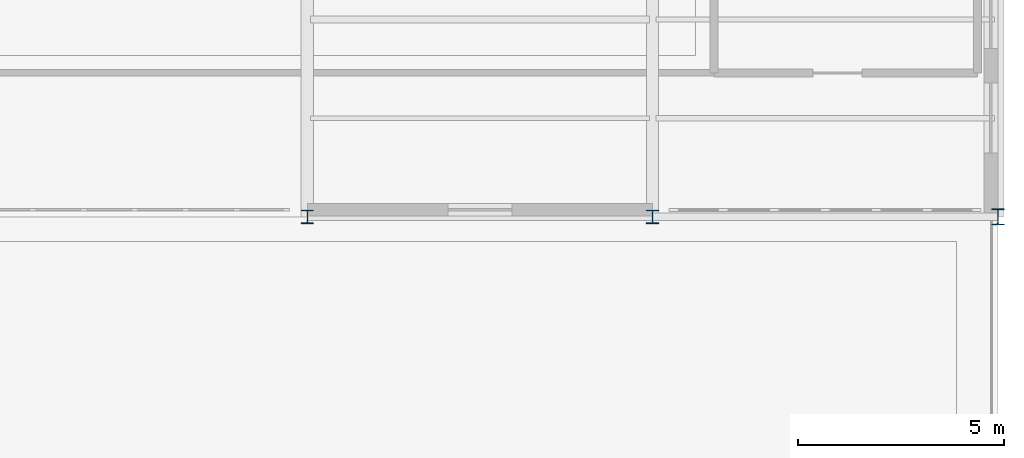
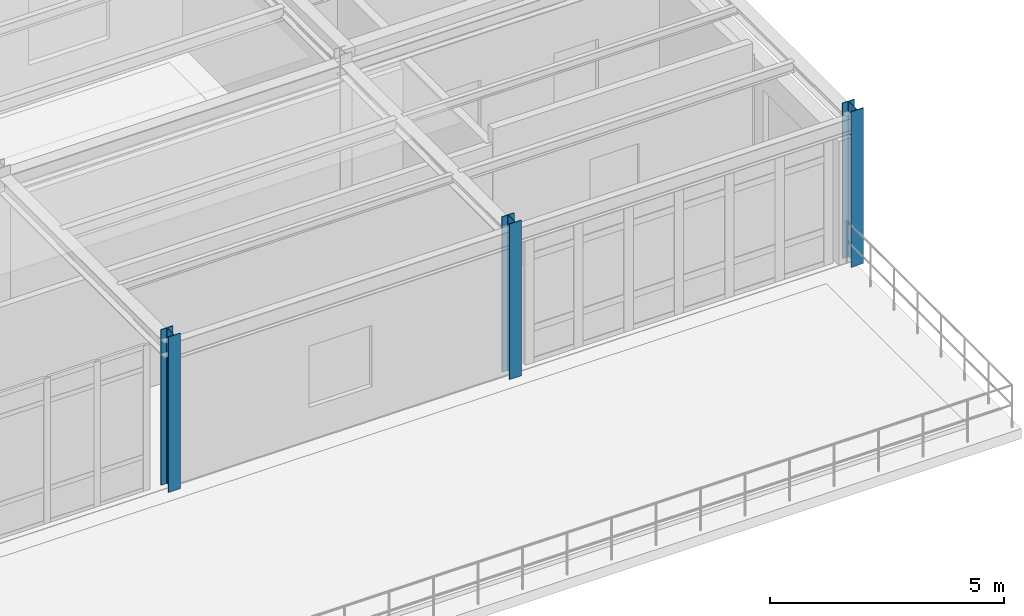
# One storey, part 4 of 58: 3 columns.
"""IFC4 building model written with IfcOpenShell, lengths in metres."""

from ifc_helpers import new_model, si_unit, derived_unit, direction, frame, origin, origin_2d, place, context, subcontext, project, spatial, i_section, extrude, material, material_profile, profile_set, type_object, element, save


model = new_model("IFC4")

# Units and contexts
model_context = context("Model", 3, precision=1e-05, world=origin(), true_north=direction((0.0, 1.0)))
body_context = subcontext(model_context, "Body", "Model", "MODEL_VIEW")
ifc_project = project(units=[si_unit("LENGTHUNIT", "METRE"), si_unit("AREAUNIT", "SQUARE_METRE"), si_unit("VOLUMEUNIT", "CUBIC_METRE"), si_unit("PLANEANGLEUNIT", "RADIAN"), si_unit("MASSUNIT", "GRAM", prefix="KILO"), derived_unit("THERMALTRANSMITTANCEUNIT", [(si_unit("POWERUNIT", "WATT"), 1), (si_unit("AREAUNIT", "SQUARE_METRE"), -1), (si_unit("THERMODYNAMICTEMPERATUREUNIT", "KELVIN"), -1)])], contexts=[model_context])

# Site, building, storey
site_placement = place(None, origin())
site = spatial("IfcSite", under=ifc_project, at=site_placement, CompositionType="ELEMENT")
building_placement = place(site_placement, origin())
building = spatial("IfcBuilding", under=site, at=building_placement, Name="Yasenodar Specialist Clinic", CompositionType="ELEMENT")
storey_placement = place(building_placement, frame((0.0, 0.0, 21.300048828125)))
storey = spatial("IfcBuildingStorey", under=building, at=storey_placement, Name="L05", CompositionType="ELEMENT", Elevation=21.300048828125)

# Columns
ifc_material = material(Name="Steel S355", Category="steel")
ifc_material_profile_1 = material_profile(ifc_material, i_section(OverallWidth=0.300048828125, OverallDepth=0.330078125, WebThickness=0.009521484375, FlangeThickness=0.0166015625, FilletRadius=0.027099609375, at=origin_2d()), Name="HEA 340")
ifc_profile_set_1 = profile_set([ifc_material_profile_1], Name="Steel S355")
column_type_1 = type_object("IfcColumnType", Name="COL-ST-HEA340", PredefinedType="COLUMN", material=ifc_profile_set_1)
for number, where, z_axis, x_axis, name in (
    (1, (105.0, 97.199951171875, 0.0), (0.0, 0.0, 1.0), (1.0, 0.0, 0.0), "L05 Column V5-124"),
    (2, (113.39990234375, 97.199951171875, 0.0), (0.0, 0.0, 1.0), (1.0, 0.0, 0.0), "L05 Column V5-134"),
):
    element("IfcColumn", number, at=place(storey_placement, frame(where, z_axis=z_axis, x_axis=x_axis)), inside=storey, type_object=column_type_1, Name=name, PredefinedType="COLUMN", context=body_context, shape_type="SweptSolid", body=[
        extrude(i_section(OverallWidth=0.300048828125, OverallDepth=0.330078125, WebThickness=0.009521484375, FlangeThickness=0.0166015625, FilletRadius=0.027099609375, at=origin_2d()), origin(), (0.0, 0.0, 1.0), 4.050048828125),
    ])
ifc_material_profile_2 = material_profile(ifc_material, i_section(OverallWidth=0.300048828125, OverallDepth=0.389892578125, WebThickness=0.010986328125, FlangeThickness=0.01904296875, FilletRadius=0.027099609375, at=origin_2d()), Name="HEA 400")
ifc_profile_set_2 = profile_set([ifc_material_profile_2], Name="Steel S355")
column_type_2 = type_object("IfcColumnType", Name="COL-ST-HEA400", PredefinedType="COLUMN", material=ifc_profile_set_2)
column_placement = place(storey_placement, frame((121.800048828125, 97.199951171875, 0.0), z_axis=(0.0, 0.0, 1.0), x_axis=(1.0, 0.0, 0.0)))
element("IfcColumn", 3, at=column_placement, inside=storey, type_object=column_type_2, Name="L05 Column V5-143", PredefinedType="COLUMN", context=body_context, shape_type="SweptSolid", body=[
    extrude(i_section(OverallWidth=0.300048828125, OverallDepth=0.389892578125, WebThickness=0.010986328125, FlangeThickness=0.01904296875, FilletRadius=0.027099609375, at=origin_2d()), origin(), (0.0, 0.0, 1.0), 4.050048828125),
])

save(model, "model.ifc")
